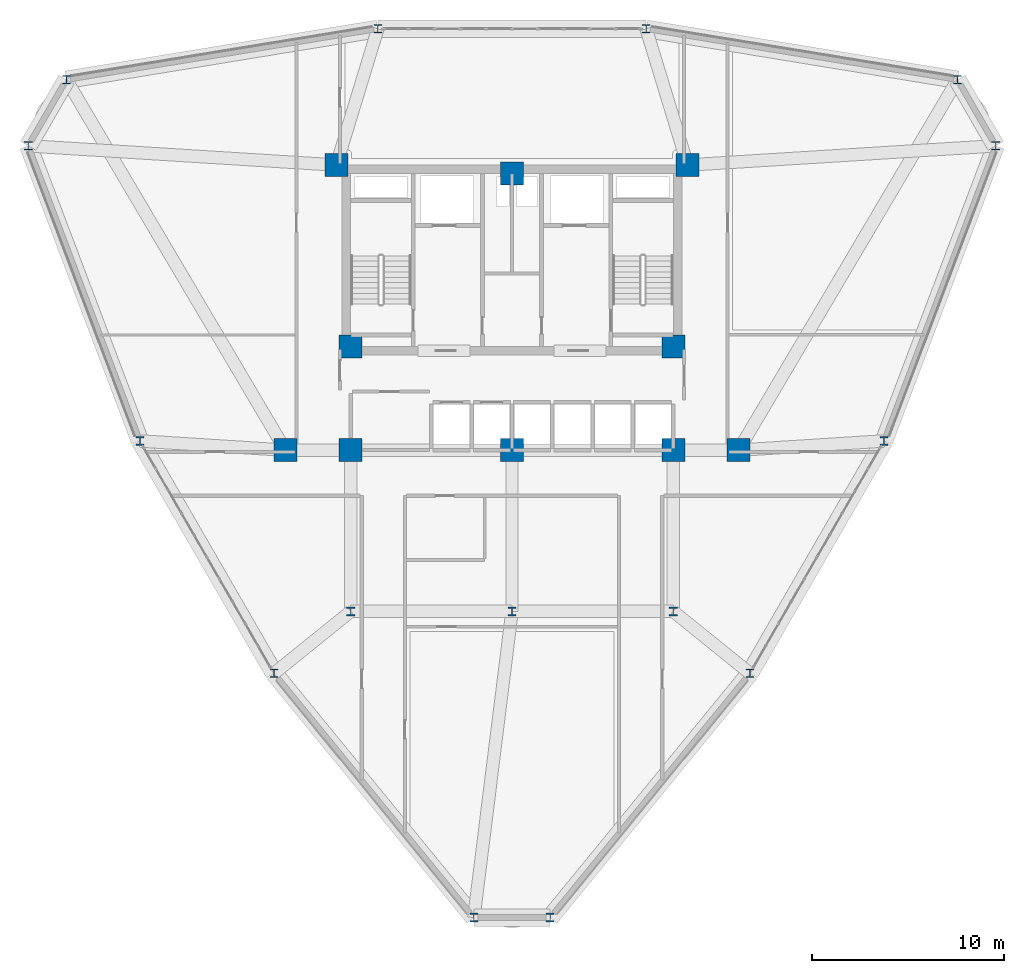
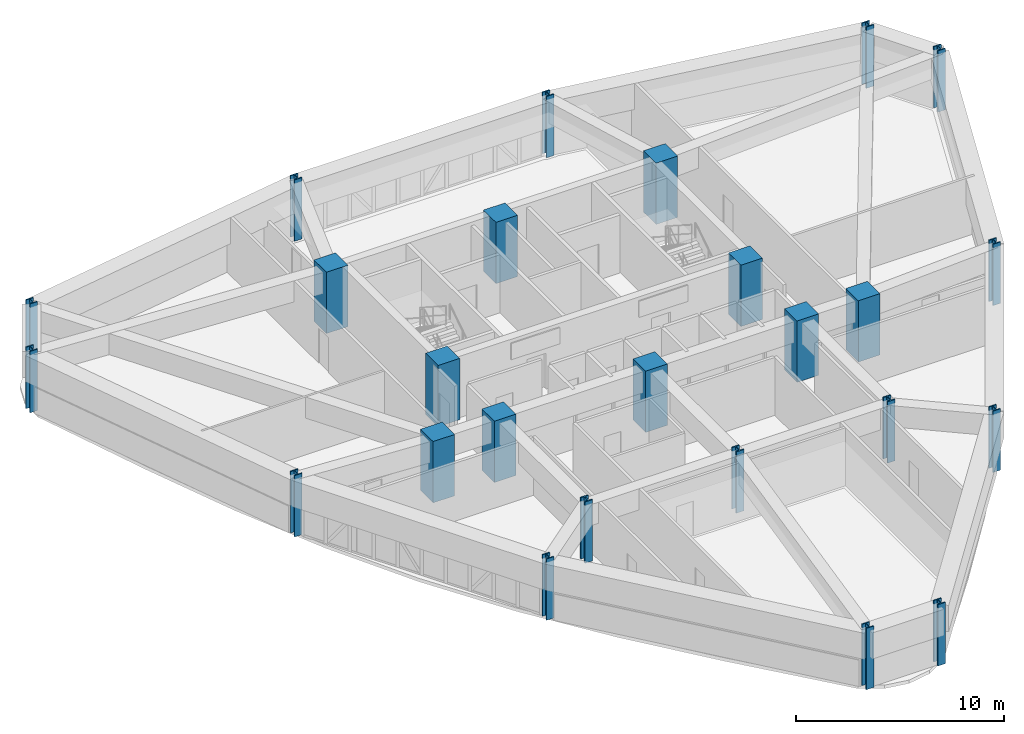
# One storey, part 1 of 15: 25 columns.
"""IFC4 building model written with IfcOpenShell, lengths in metres."""

from ifc_helpers import new_model, si_unit, derived_unit, direction, frame, origin, origin_2d, place, context, subcontext, project, spatial, rectangle, i_section, extrude, source, transform, mapped, material, material_profile, profile_set, type_object, element, save


model = new_model("IFC4")

# Units and contexts
model_context = context("Model", 3, precision=1e-05, world=origin(), true_north=direction((0.0, 1.0)))
body_context = subcontext(model_context, "Body", "Model", "MODEL_VIEW")
ifc_project = project(units=[si_unit("LENGTHUNIT", "METRE"), si_unit("AREAUNIT", "SQUARE_METRE"), si_unit("VOLUMEUNIT", "CUBIC_METRE"), si_unit("PLANEANGLEUNIT", "RADIAN"), si_unit("MASSUNIT", "GRAM", prefix="KILO"), derived_unit("THERMALTRANSMITTANCEUNIT", [(si_unit("POWERUNIT", "WATT"), 1), (si_unit("LENGTHUNIT", "METRE"), -2), (si_unit("THERMODYNAMICTEMPERATUREUNIT", "KELVIN"), -1)])], contexts=[model_context])

# Site, building, storey
site_placement = place(None, origin())
site = spatial("IfcSite", under=ifc_project, at=site_placement, CompositionType="ELEMENT")
building_placement = place(site_placement, origin())
building = spatial("IfcBuilding", under=site, at=building_placement, Name="Korsvarv Bourse and Concert Hall", CompositionType="ELEMENT")
storey_placement = place(building_placement, frame((0.0, 0.0, 109.800048828125)))
storey = spatial("IfcBuildingStorey", under=building, at=storey_placement, Name="L27", CompositionType="ELEMENT", Elevation=109.800048828125)

# Columns
ifc_material_1 = material(Name="Concrete C60/75", Category="concrete")
ifc_material_profile_1 = material_profile(ifc_material_1, rectangle(XDim=1.199951171875, YDim=1.199951171875, at=origin_2d()), Name="RC 1200x1200")
ifc_profile_set_1 = profile_set([ifc_material_profile_1], Name="Concrete C60/75")
column_type_1 = type_object("IfcColumnType", Name="COL-RC1200", PredefinedType="COLUMN", material=ifc_profile_set_1)
shared_shape_1 = source(origin(), body_context, "Body", "SweptSolid", [
    extrude(rectangle(XDim=1.199951171875, YDim=1.199951171875, at=origin_2d()), origin(), (0.0, 0.0, 1.0), 3.599853515625),
])
for number, where, z_axis, x_axis, name in (
    (1, (26.85009765625, 47.25, 0.0), (0.0, 0.0, 1.0), (1.0, 0.0, 0.0), "L27 column C-02"),
    (2, (45.14990234375, 47.25, 0.0), (0.0, 0.0, 1.0), (1.0, 0.0, 0.0), "L27 column C-02"),
    (3, (27.60009765625, 37.800048828125, 0.0), (0.0, 0.0, 1.0), (1.0, 0.0, 0.0), "L27 column C-02"),
    (4, (44.39990234375, 37.800048828125, 0.0), (0.0, 0.0, 1.0), (1.0, 0.0, 0.0), "L27 column C-02"),
    (5, (27.60009765625, 32.39990234375, 0.0), (0.0, 0.0, 1.0), (1.0, 0.0, 0.0), "L27 column C-02"),
    (6, (44.39990234375, 32.39990234375, 0.0), (0.0, 0.0, 1.0), (1.0, 0.0, 0.0), "L27 column C-02"),
    (7, (36.0, 46.800048828125, 0.0), (0.0, 0.0, 1.0), (1.0, 0.0, 0.0), "L27 column C-02"),
    (8, (36.0, 32.39990234375, 0.0), (0.0, 0.0, 1.0), (1.0, 0.0, 0.0), "L27 column C-02"),
    (9, (24.199951171875, 32.39990234375, 0.0), (0.0, 0.0, 1.0), (1.0, 0.0, 0.0), "L27 column C-02"),
    (10, (47.800048828125, 32.39990234375, 0.0), (0.0, 0.0, 1.0), (1.0, 0.0, 0.0), "L27 column C-02"),
):
    element("IfcColumn", number, at=place(storey_placement, frame(where, z_axis=z_axis, x_axis=x_axis)), inside=storey, type_object=column_type_1, Name=name, PredefinedType="COLUMN", context=body_context, shape_type="MappedRepresentation", body=[
        mapped(shared_shape_1, transform((0.0, 0.0, 0.0), scale=1.0)),
    ])
ifc_material_2 = material(Name="Steel S460", Category="steel")
ifc_material_profile_2 = material_profile(ifc_material_2, i_section(OverallWidth=0.424072265625, OverallDepth=0.47412109375, WebThickness=0.044921875, FlangeThickness=0.072021484375, FilletRadius=0.014892578125, at=origin_2d()), Name="HD 400x634")
ifc_profile_set_2 = profile_set([ifc_material_profile_2], Name="Steel S460")
column_type_2 = type_object("IfcColumnType", Name="COL-HD634", PredefinedType="COLUMN", material=ifc_profile_set_2)
shared_shape_2 = source(origin(), body_context, "Body", "SweptSolid", [
    extrude(i_section(OverallWidth=0.424072265625, OverallDepth=0.47412109375, WebThickness=0.044921875, FlangeThickness=0.072021484375, FilletRadius=0.014892578125, at=origin_2d()), origin(), (0.0, 0.0, 1.0), 3.599853515625),
])
for number, where, z_axis, x_axis, name in (
    (11, (27.60009765625, 24.0, 0.0), (0.0, 0.0, 1.0), (1.0, 0.0, 0.0), "L27 column C-07"),
    (12, (44.39990234375, 24.0, 0.0), (0.0, 0.0, 1.0), (1.0, 0.0, 0.0), "L27 column C-07"),
    (13, (36.0, 24.0, 0.0), (0.0, 0.0, 1.0), (1.0, 0.0, 0.0), "L27 column C-07"),
):
    element("IfcColumn", number, at=place(storey_placement, frame(where, z_axis=z_axis, x_axis=x_axis)), inside=storey, type_object=column_type_2, Name=name, PredefinedType="COLUMN", context=body_context, shape_type="MappedRepresentation", body=[
        mapped(shared_shape_2, transform((0.0, 0.0, 0.0), scale=1.0)),
    ])
ifc_material_profile_3 = material_profile(ifc_material_2, i_section(OverallWidth=0.41796875, OverallDepth=0.455078125, WebThickness=0.0390625, FlangeThickness=0.06298828125, FilletRadius=0.014892578125, at=origin_2d()), Name="HD 400x551")
ifc_profile_set_3 = profile_set([ifc_material_profile_3], Name="Steel S460")
column_type_3 = type_object("IfcColumnType", Name="COL-HD551", PredefinedType="COLUMN", material=ifc_profile_set_3)
shared_shape_3 = source(origin(), body_context, "Body", "SweptSolid", [
    extrude(i_section(OverallWidth=0.41796875, OverallDepth=0.455078125, WebThickness=0.0390625, FlangeThickness=0.06298828125, FilletRadius=0.014892578125, at=origin_2d()), origin(), (0.0, 0.0, 1.0), 3.599853515625),
])
for number, where, z_axis, x_axis, name in (
    (14, (61.19482421875, 48.25146484375, 0.0), (0.0, 0.0, 1.0), (1.0, 0.0, 0.0), "L27 column C-08"),
    (15, (59.20751953125, 51.693603515625, 0.0), (0.0, 0.0, 1.0), (1.0, 0.0, 0.0), "L27 column C-08"),
    (16, (42.988037109375, 54.344482421875, 0.0), (0.0, 0.0, 1.0), (1.0, 0.0, 0.0), "L27 column C-08"),
    (17, (29.011962890625, 54.344482421875, 0.0), (0.0, 0.0, 1.0), (1.0, 0.0, 0.0), "L27 column C-08"),
    (18, (12.79248046875, 51.693603515625, 0.0), (0.0, 0.0, 1.0), (1.0, 0.0, 0.0), "L27 column C-08"),
    (19, (10.80517578125, 48.25146484375, 0.0), (0.0, 0.0, 1.0), (1.0, 0.0, 0.0), "L27 column C-08"),
    (20, (16.619140625, 32.87939453125, 0.0), (0.0, 0.0, 1.0), (1.0, 0.0, 0.0), "L27 column C-08"),
    (21, (23.607177734375, 20.77587890625, 0.0), (0.0, 0.0, 1.0), (1.0, 0.0, 0.0), "L27 column C-08"),
    (22, (34.0126953125, 8.054931640625, 0.0), (0.0, 0.0, 1.0), (1.0, 0.0, 0.0), "L27 column C-08"),
    (23, (37.9873046875, 8.054931640625, 0.0), (0.0, 0.0, 1.0), (1.0, 0.0, 0.0), "L27 column C-08"),
    (24, (48.392822265625, 20.77587890625, 0.0), (0.0, 0.0, 1.0), (1.0, 0.0, 0.0), "L27 column C-08"),
    (25, (55.380859375, 32.87939453125, 0.0), (0.0, 0.0, 1.0), (1.0, 0.0, 0.0), "L27 column C-08"),
):
    element("IfcColumn", number, at=place(storey_placement, frame(where, z_axis=z_axis, x_axis=x_axis)), inside=storey, type_object=column_type_3, Name=name, PredefinedType="COLUMN", context=body_context, shape_type="MappedRepresentation", body=[
        mapped(shared_shape_3, transform((0.0, 0.0, 0.0), scale=1.0)),
    ])

save(model, "model.ifc")
